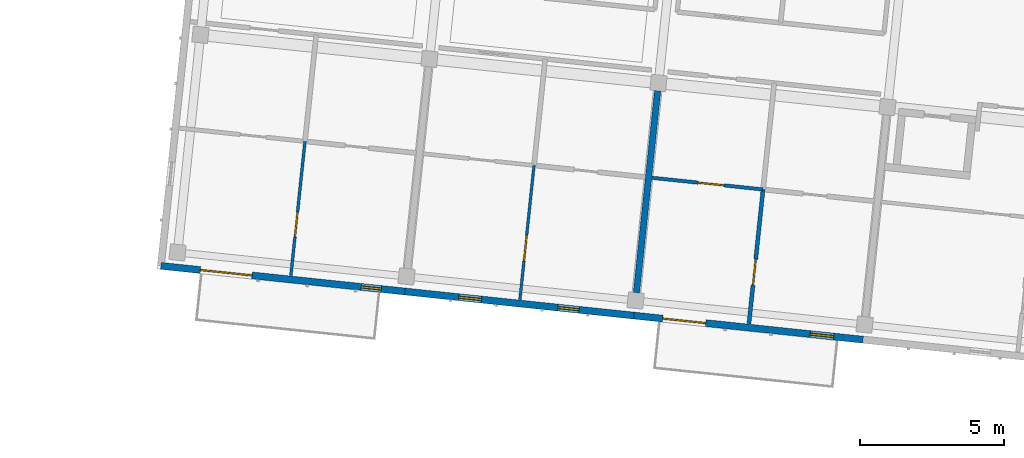
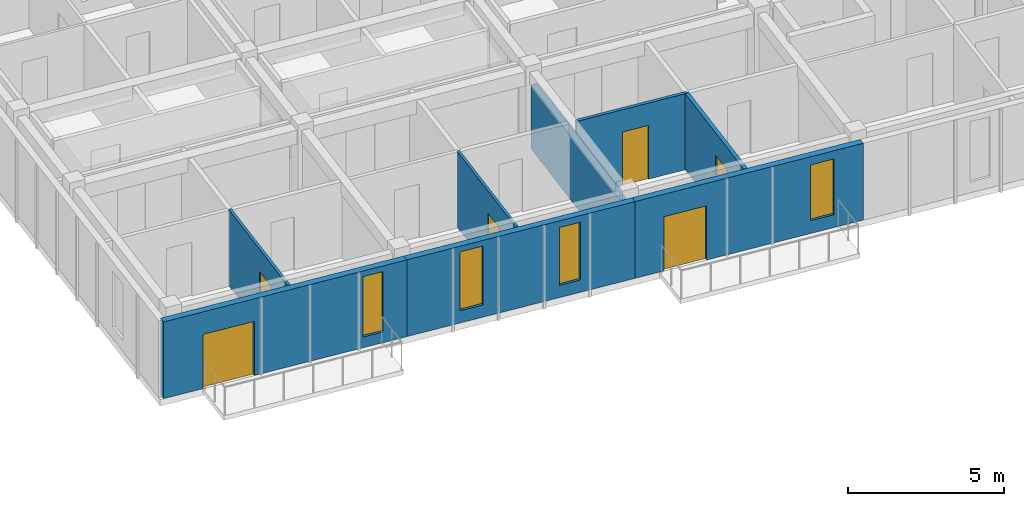
# One storey, part 29 of 65: 8 walls, 6 doors, 4 windows, 10 openings.
"""IFC4 building model written with IfcOpenShell, lengths in metres."""

from ifc_helpers import new_model, si_unit, direction, frame, frame_2d, origin, place, context, subcontext, project, spatial, rectangle, extrude, material, layer, layer_set, type_object, element, fill, save


model = new_model("IFC4")

# Units and contexts
model_context = context("Model", 3, precision=1e-05, world=origin(), true_north=direction((0.0, 1.0)))
body_context = subcontext(model_context, "Body", "Model", "MODEL_VIEW")
ifc_project = project(units=[si_unit("LENGTHUNIT", "METRE"), si_unit("AREAUNIT", "SQUARE_METRE"), si_unit("VOLUMEUNIT", "CUBIC_METRE"), si_unit("PLANEANGLEUNIT", "RADIAN"), si_unit("MASSUNIT", "GRAM", prefix="KILO")], contexts=[model_context])

# Site, building, storey
site_placement = place(None, origin())
site = spatial("IfcSite", under=ifc_project, at=site_placement, CompositionType="ELEMENT")
building_placement = place(site_placement, origin())
building = spatial("IfcBuilding", under=site, at=building_placement, Name="Kestramere Prow Commons", CompositionType="ELEMENT")
storey_placement = place(building_placement, frame((0.0, 0.0, 21.39990234375)))
storey = spatial("IfcBuildingStorey", under=building, at=storey_placement, Name="L06", CompositionType="ELEMENT", Elevation=21.39990234375)

# Wall, openings, door, window
ifc_material_1 = material(Name="Fluoropolymer Standing-Seam Zinc-Aluminium Cladding", Category="aluminium")
ifc_layer_1 = layer(ifc_material_1, 0.239990234375)
ifc_layer_set_1 = layer_set([ifc_layer_1], Name="Fluoropolymer Standing-Seam Zinc-Aluminium Cladding")
wall_type_1 = type_object("IfcWallType", Name="EW-SEAM-240", PredefinedType="SOLIDWALL", material=ifc_layer_set_1)
wall_1_placement = place(storey_placement, frame((117.9013671875, 93.441650390625, 0.0), z_axis=(0.0, 0.0, 1.0), x_axis=(-0.994521760736, 0.104529744196, 0.0)))
wall_1 = element("IfcWall", 1, at=wall_1_placement, inside=storey, type_object=wall_type_1, Name="Block B L06 South Standing-Seam Wall 1", PredefinedType="SOLIDWALL", context=body_context, shape_type="SweptSolid", body=[
    extrude(rectangle(XDim=8.52490234375, YDim=0.239990234375, at=frame_2d((4.262451171875, 0.0))), origin(), (0.0, 0.0, 1.0), 3.0),
])
opening_1_placement = place(wall_1_placement, frame((5.344970703125, 0.0, 0.0)))
opening_1 = element("IfcOpeningElement", 2, at=opening_1_placement, cuts=wall_1, Name="Opening GD-BAL-02", PredefinedType="OPENING", context=body_context, shape_type="SweptSolid", body=[
    extrude(rectangle(XDim=1.800048828125, YDim=2.1201171875, at=frame_2d((0.89990234375, 1.06005859375))), frame((0.0, 0.135009765625, 0.0), z_axis=(0.0, -1.0, 0.0), x_axis=(1.0, 0.0, 0.0)), (0.0, 0.0, 1.0), 0.27001953125),
])
opening_2_placement = place(wall_1_placement, frame((0.830078125, 0.0, 0.419921875)))
opening_2 = element("IfcOpeningElement", 3, at=opening_2_placement, cuts=wall_1, Name="Opening WN-07", PredefinedType="OPENING", context=body_context, shape_type="SweptSolid", body=[
    extrude(rectangle(XDim=0.699951171875, YDim=2.360107421875, at=frame_2d((0.35009765625, 1.18017578125))), frame((0.0, 0.135009765625, 0.0), z_axis=(0.0, -1.0, 0.0), x_axis=(1.0, 0.0, 0.0)), (0.0, 0.0, 1.0), 0.27001953125),
])
ifc_material_2 = material(Name="Thermally-Broken Anodised Aluminium Glazed", Category="aluminium")
door_type_1 = type_object("IfcDoorType", Name="GD-BAL-1800", OperationType="SLIDING_TO_LEFT", PredefinedType="DOOR", material=ifc_material_2)
door_1_placement = place(opening_1_placement, origin())
door_1 = element("IfcDoor", 4, at=door_1_placement, inside=storey, type_object=door_type_1, Name="Block B L06 Balcony Door 1", OperationType="SLIDING_TO_LEFT", OverallHeight=2.1201171875, OverallWidth=1.800048828125, PredefinedType="DOOR", context=body_context, shape_type="SweptSolid", body=[
    extrude(rectangle(XDim=1.800048828125, YDim=2.1201171875, at=frame_2d((0.89990234375, 1.06005859375))), frame((0.0, 0.02490234375, 0.0), z_axis=(0.0, -1.0, 0.0), x_axis=(1.0, 0.0, 0.0)), (0.0, 0.0, 1.0), 0.050048828125),
])
fill(opening_1, door_1)
ifc_material_3 = material(Name="Low-E Laminated Double Glazing", Category="glass")
window_type_1 = type_object("IfcWindowType", Name="WN-NAR-700A", PartitioningType="SINGLE_PANEL", PredefinedType="WINDOW", material=ifc_material_3)
window_1_placement = place(opening_2_placement, origin())
window_1 = element("IfcWindow", 5, at=window_1_placement, inside=storey, type_object=window_type_1, Name="WN-B-L06-SR-0", OverallHeight=2.360107421875, OverallWidth=0.699951171875, PartitioningType="SINGLE_PANEL", PredefinedType="WINDOW", context=body_context, shape_type="SweptSolid", body=[
    extrude(rectangle(XDim=0.699951171875, YDim=2.360107421875, at=frame_2d((0.35009765625, 1.18017578125))), frame((0.0, 0.030029296875, 0.0), z_axis=(0.0, -1.0, 0.0), x_axis=(1.0, 0.0, 0.0)), (0.0, 0.0, 1.0), 0.06005859375),
])
fill(opening_2, window_1)

# Wall, openings, windows
wall_2_placement = place(storey_placement, frame((125.857421875, 92.60546875, 0.0), z_axis=(0.0, 0.0, 1.0), x_axis=(-0.994522329422, 0.104524333444, 0.0)))
wall_2 = element("IfcWall", 6, at=wall_2_placement, inside=storey, type_object=wall_type_1, Name="Block B L06 South Standing-Seam Wall 2", PredefinedType="SOLIDWALL", context=body_context, shape_type="SweptSolid", body=[
    extrude(rectangle(XDim=7.999755859375, YDim=0.239990234375, at=frame_2d((4.0, 0.0))), origin(), (0.0, 0.0, 1.0), 3.0),
])
opening_3_placement = place(wall_2_placement, frame((1.91943359375, 0.0, 0.47998046875)))
opening_3 = element("IfcOpeningElement", 7, at=opening_3_placement, cuts=wall_2, Name="Opening WN-09", PredefinedType="OPENING", context=body_context, shape_type="SweptSolid", body=[
    extrude(rectangle(XDim=0.739990234375, YDim=2.260009765625, at=frame_2d((0.3701171875, 1.1298828125))), frame((0.0, 0.135009765625, 0.0), z_axis=(0.0, -1.0, 0.0), x_axis=(1.0, 0.0, 0.0)), (0.0, 0.0, 1.0), 0.27001953125),
])
opening_4_placement = place(wall_2_placement, frame((5.329833984375, 0.0, 0.47998046875)))
opening_4 = element("IfcOpeningElement", 8, at=opening_4_placement, cuts=wall_2, Name="Opening WN-12", PredefinedType="OPENING", context=body_context, shape_type="SweptSolid", body=[
    extrude(rectangle(XDim=0.800048828125, YDim=2.300048828125, at=frame_2d((0.39990234375, 1.14990234375))), frame((0.0, 0.135009765625, 0.0), z_axis=(0.0, -1.0, 0.0), x_axis=(1.0, 0.0, 0.0)), (0.0, 0.0, 1.0), 0.27001953125),
])
window_type_2 = type_object("IfcWindowType", Name="WN-NAR-740A", PartitioningType="SINGLE_PANEL", PredefinedType="WINDOW", material=ifc_material_3)
window_2_placement = place(opening_3_placement, origin())
window_2 = element("IfcWindow", 9, at=window_2_placement, inside=storey, type_object=window_type_2, Name="WN-B-L06-S-1-00", OverallHeight=2.260009765625, OverallWidth=0.739990234375, PartitioningType="SINGLE_PANEL", PredefinedType="WINDOW", context=body_context, shape_type="SweptSolid", body=[
    extrude(rectangle(XDim=0.739990234375, YDim=2.260009765625, at=frame_2d((0.3701171875, 1.1298828125))), frame((0.0, 0.030029296875, 0.0), z_axis=(0.0, -1.0, 0.0), x_axis=(1.0, 0.0, 0.0)), (0.0, 0.0, 1.0), 0.06005859375),
])
fill(opening_3, window_2)
window_type_3 = type_object("IfcWindowType", Name="WN-NAR-800A", PartitioningType="SINGLE_PANEL", PredefinedType="WINDOW", material=ifc_material_3)
window_3_placement = place(opening_4_placement, origin())
window_3 = element("IfcWindow", 10, at=window_3_placement, inside=storey, type_object=window_type_3, Name="WN-B-L06-S-1-10", OverallHeight=2.300048828125, OverallWidth=0.800048828125, PartitioningType="SINGLE_PANEL", PredefinedType="WINDOW", context=body_context, shape_type="SweptSolid", body=[
    extrude(rectangle(XDim=0.800048828125, YDim=2.300048828125, at=frame_2d((0.39990234375, 1.14990234375))), frame((0.0, 0.030029296875, 0.0), z_axis=(0.0, -1.0, 0.0), x_axis=(1.0, 0.0, 0.0)), (0.0, 0.0, 1.0), 0.06005859375),
])
fill(opening_4, window_3)

# Wall, openings, door, window
wall_3_placement = place(storey_placement, frame((133.813720703125, 91.769287109375, 0.0), z_axis=(0.0, 0.0, 1.0), x_axis=(-0.994522662826, 0.104521161134, 0.0)))
wall_3 = element("IfcWall", 11, at=wall_3_placement, inside=storey, type_object=wall_type_1, Name="Block B L06 South Standing-Seam Wall 3", PredefinedType="SOLIDWALL", context=body_context, shape_type="SweptSolid", body=[
    extrude(rectangle(XDim=8.0, YDim=0.239990234375, at=frame_2d((4.0, 0.0))), origin(), (0.0, 0.0, 1.0), 3.0),
])
opening_5_placement = place(wall_3_placement, frame((5.4951171875, 0.0, 0.0)))
opening_5 = element("IfcOpeningElement", 12, at=opening_5_placement, cuts=wall_3, Name="Opening GD-BAL-01", PredefinedType="OPENING", context=body_context, shape_type="SweptSolid", body=[
    extrude(rectangle(XDim=1.5, YDim=2.1201171875, at=frame_2d((0.75, 1.06005859375))), frame((0.0, 0.135009765625, 0.0), z_axis=(0.0, -1.0, 0.0), x_axis=(1.0, 0.0, 0.0)), (0.0, 0.0, 1.0), 0.27001953125),
])
opening_6_placement = place(wall_3_placement, frame((1.030029296875, 0.0, 0.5)))
opening_6 = element("IfcOpeningElement", 13, at=opening_6_placement, cuts=wall_3, Name="Opening WN-13", PredefinedType="OPENING", context=body_context, shape_type="SweptSolid", body=[
    extrude(rectangle(XDim=0.820068359375, YDim=2.179931640625, at=frame_2d((0.41015625, 1.08984375))), frame((0.0, 0.135009765625, 0.0), z_axis=(0.0, -1.0, 0.0), x_axis=(1.0, 0.0, 0.0)), (0.0, 0.0, 1.0), 0.27001953125),
])
door_type_2 = type_object("IfcDoorType", Name="GD-BAL-1500", OperationType="SLIDING_TO_RIGHT", PredefinedType="DOOR", material=ifc_material_2)
door_2_placement = place(opening_5_placement, origin())
door_2 = element("IfcDoor", 14, at=door_2_placement, inside=storey, type_object=door_type_2, Name="Block B L06 Balcony Door 3", OperationType="SLIDING_TO_RIGHT", OverallHeight=2.1201171875, OverallWidth=1.5, PredefinedType="DOOR", context=body_context, shape_type="SweptSolid", body=[
    extrude(rectangle(XDim=1.5, YDim=2.1201171875, at=frame_2d((0.75, 1.06005859375))), frame((0.0, 0.02490234375, 0.0), z_axis=(0.0, -1.0, 0.0), x_axis=(1.0, 0.0, 0.0)), (0.0, 0.0, 1.0), 0.050048828125),
])
fill(opening_5, door_2)
window_type_4 = type_object("IfcWindowType", Name="WN-NAR-820A", PartitioningType="DOUBLE_PANEL_VERTICAL", PredefinedType="WINDOW", material=ifc_material_3)
window_4_placement = place(opening_6_placement, origin())
window_4 = element("IfcWindow", 15, at=window_4_placement, inside=storey, type_object=window_type_4, Name="WN-B-L06-SR-2", OverallHeight=2.179931640625, OverallWidth=0.820068359375, PartitioningType="SINGLE_PANEL", PredefinedType="WINDOW", context=body_context, shape_type="SweptSolid", body=[
    extrude(rectangle(XDim=0.820068359375, YDim=2.179931640625, at=frame_2d((0.41015625, 1.08984375))), frame((0.0, 0.030029296875, 0.0), z_axis=(0.0, -1.0, 0.0), x_axis=(1.0, 0.0, 0.0)), (0.0, 0.0, 1.0), 0.06005859375),
])
fill(opening_6, window_4)

# Wall, opening, door
ifc_material_4 = material(Name="Gypsum Acoustic Drywall")
ifc_layer_2 = layer(ifc_material_4, 0.10009765625)
ifc_layer_set_2 = layer_set([ifc_layer_2], Name="Gypsum Acoustic Drywall")
wall_type_2 = type_object("IfcWallType", Name="W-PART-100", PredefinedType="PARTITIONING", material=ifc_layer_set_2)
wall_4_placement = place(storey_placement, frame((113.937255859375, 93.994140625, 0.0), z_axis=(0.0, 0.0, 1.0), x_axis=(0.104527618124, 0.994521984196, 0.0)))
wall_4 = element("IfcWall", 16, at=wall_4_placement, inside=storey, type_object=wall_type_2, Name="Interior Partition PW-B-L06-LB-S0", PredefinedType="PARTITIONING", context=body_context, shape_type="SweptSolid", body=[
    extrude(rectangle(XDim=4.68994140625, YDim=0.10009765625, at=frame_2d((2.344970703125, 0.0))), origin(), (0.0, 0.0, 1.0), 2.97021484375),
])
opening_7_placement = place(wall_4_placement, frame((1.35009765625, 0.0, 0.0)))
opening_7 = element("IfcOpeningElement", 17, at=opening_7_placement, cuts=wall_4, Name="Opening ID-10", PredefinedType="OPENING", context=body_context, shape_type="SweptSolid", body=[
    extrude(rectangle(XDim=0.8798828125, YDim=2.10009765625, at=frame_2d((0.43994140625, 1.050048828125))), frame((0.0, 0.06494140625, 0.0), z_axis=(0.0, -1.0, 0.0), x_axis=(1.0, 0.0, 0.0)), (0.0, 0.0, 1.0), 0.130126953125),
])
ifc_material_5 = material(Name="Engineered Timber Bedroom Door", Category="wood")
door_type_3 = type_object("IfcDoorType", Name="D-RM-03", OperationType="NOTDEFINED", PredefinedType="DOOR", material=ifc_material_5)
door_3_placement = place(opening_7_placement, origin())
door_3 = element("IfcDoor", 18, at=door_3_placement, inside=storey, type_object=door_type_3, Name="Interior Door DR-B-L06-BED-S0", OperationType="SINGLE_SWING_LEFT", OverallHeight=2.10009765625, OverallWidth=0.8798828125, PredefinedType="DOOR", context=body_context, shape_type="SweptSolid", body=[
    extrude(rectangle(XDim=0.8798828125, YDim=2.10009765625, at=frame_2d((0.43994140625, 1.050048828125))), frame((0.0, 0.02490234375, 0.0), z_axis=(0.0, -1.0, 0.0), x_axis=(1.0, 0.0, 0.0)), (0.0, 0.0, 1.0), 0.050048828125),
])
fill(opening_7, door_3)

ifc_material_6 = material(Name="Lightweight Blockwork and Plaster", Category="masonry")
ifc_layer_3 = layer(ifc_material_6, 0.1201171875)
ifc_layer_set_3 = layer_set([ifc_layer_3], Name="Lightweight Blockwork and Plaster")
wall_type_3 = type_object("IfcWallType", Name="W-PART-120", PredefinedType="PARTITIONING", material=ifc_layer_set_3)
wall_5_placement = place(storey_placement, frame((126.47607421875, 97.39208984375, 0.0), z_axis=(0.0, 0.0, 1.0), x_axis=(0.994517841934, -0.104567021925, 0.0)))
wall_5 = element("IfcWall", 19, at=wall_5_placement, inside=storey, type_object=wall_type_3, Name="Interior Partition PW-B-L06-MIDS1-2", PredefinedType="PARTITIONING", context=body_context, shape_type="SweptSolid", body=[
    extrude(rectangle(XDim=3.885009765625, YDim=0.1201171875, at=frame_2d((1.9423828125, 0.0))), origin(), (0.0, 0.0, 1.0), 2.97021484375),
])
opening_8_placement = place(wall_5_placement, frame((1.625, 0.0, 0.0)))
opening_8 = element("IfcOpeningElement", 20, at=opening_8_placement, cuts=wall_5, Name="Opening ID-08", PredefinedType="OPENING", context=body_context, shape_type="SweptSolid", body=[
    extrude(rectangle(XDim=0.89990234375, YDim=2.10009765625, at=frame_2d((0.449951171875, 1.050048828125))), frame((0.0, 0.074951171875, 0.0), z_axis=(0.0, -1.0, 0.0), x_axis=(1.0, 0.0, 0.0)), (0.0, 0.0, 1.0), 0.150146484375),
])
ifc_material_7 = material(Name="Engineered Timber Flush Door", Category="wood")
door_type_4 = type_object("IfcDoorType", Name="D-RM-01", OperationType="NOTDEFINED", PredefinedType="DOOR", material=ifc_material_7)
door_4_placement = place(opening_8_placement, origin())
door_4 = element("IfcDoor", 21, at=door_4_placement, inside=storey, type_object=door_type_4, Name="Interior Door DR-B-L06-KL-S2", OperationType="SINGLE_SWING_RIGHT", OverallHeight=2.10009765625, OverallWidth=0.89990234375, PredefinedType="DOOR", context=body_context, shape_type="SweptSolid", body=[
    extrude(rectangle(XDim=0.89990234375, YDim=2.10009765625, at=frame_2d((0.449951171875, 1.050048828125))), frame((0.0, 0.02490234375, 0.0), z_axis=(0.0, -1.0, 0.0), x_axis=(1.0, 0.0, 0.0)), (0.0, 0.0, 1.0), 0.050048828125),
])
fill(opening_8, door_4)

ifc_material_8 = material(Name="Masonry Compartment Wall", Category="masonry")
ifc_layer_4 = layer(ifc_material_8, 0.139892578125)
ifc_layer_set_4 = layer_set([ifc_layer_4], Name="Masonry Compartment Wall")
wall_type_4 = type_object("IfcWallType", Name="W-PART-140", PredefinedType="PARTITIONING", material=ifc_layer_set_4)
wall_6_placement = place(storey_placement, frame((129.849609375, 92.321533203125, 0.0), z_axis=(0.0, 0.0, 1.0), x_axis=(0.104527618124, 0.994521984196, 0.0)))
wall_6 = element("IfcWall", 22, at=wall_6_placement, inside=storey, type_object=wall_type_4, Name="Interior Partition PW-B-L06-LB-S2", PredefinedType="PARTITIONING", context=body_context, shape_type="SweptSolid", body=[
    extrude(rectangle(XDim=4.68994140625, YDim=0.139892578125, at=frame_2d((2.344970703125, 0.0))), origin(), (0.0, 0.0, 1.0), 2.97021484375),
])
opening_9_placement = place(wall_6_placement, frame((1.35009765625, 0.0, 0.0)))
opening_9 = element("IfcOpeningElement", 23, at=opening_9_placement, cuts=wall_6, Name="Opening ID-08", PredefinedType="OPENING", context=body_context, shape_type="SweptSolid", body=[
    extrude(rectangle(XDim=0.89990234375, YDim=2.10009765625, at=frame_2d((0.449951171875, 1.050048828125))), frame((0.0, 0.0849609375, 0.0), z_axis=(0.0, -1.0, 0.0), x_axis=(1.0, 0.0, 0.0)), (0.0, 0.0, 1.0), 0.169921875),
])
door_5_placement = place(opening_9_placement, origin())
door_5 = element("IfcDoor", 24, at=door_5_placement, inside=storey, type_object=door_type_4, Name="Interior Door DR-B-L06-BED-S2", OperationType="SINGLE_SWING_LEFT", OverallHeight=2.10009765625, OverallWidth=0.89990234375, PredefinedType="DOOR", context=body_context, shape_type="SweptSolid", body=[
    extrude(rectangle(XDim=0.89990234375, YDim=2.10009765625, at=frame_2d((0.449951171875, 1.050048828125))), frame((0.0, 0.02490234375, 0.0), z_axis=(0.0, -1.0, 0.0), x_axis=(1.0, 0.0, 0.0)), (0.0, 0.0, 1.0), 0.050048828125),
])
fill(opening_9, door_5)

ifc_layer_5 = layer(ifc_material_4, 0.094970703125)
ifc_layer_set_5 = layer_set([ifc_layer_5], Name="Gypsum Acoustic Drywall")
wall_type_5 = type_object("IfcWallType", Name="W-PART-95", PredefinedType="PARTITIONING", material=ifc_layer_set_5)
wall_7_placement = place(storey_placement, frame((121.8935546875, 93.15771484375, 0.0), z_axis=(0.0, 0.0, 1.0), x_axis=(0.104527618124, 0.994521984196, 0.0)))
wall_7 = element("IfcWall", 25, at=wall_7_placement, inside=storey, type_object=wall_type_5, Name="Interior Partition PW-B-L06-LB-S1", PredefinedType="PARTITIONING", context=body_context, shape_type="SweptSolid", body=[
    extrude(rectangle(XDim=4.68994140625, YDim=0.094970703125, at=frame_2d((2.344970703125, 0.0))), origin(), (0.0, 0.0, 1.0), 2.97021484375),
])
opening_10_placement = place(wall_7_placement, frame((1.35009765625, 0.0, 0.0)))
opening_10 = element("IfcOpeningElement", 26, at=opening_10_placement, cuts=wall_7, Name="Opening ID-08", PredefinedType="OPENING", context=body_context, shape_type="SweptSolid", body=[
    extrude(rectangle(XDim=0.89990234375, YDim=2.10009765625, at=frame_2d((0.449951171875, 1.050048828125))), frame((0.0, 0.0625, 0.0), z_axis=(0.0, -1.0, 0.0), x_axis=(1.0, 0.0, 0.0)), (0.0, 0.0, 1.0), 0.125),
])
door_6_placement = place(opening_10_placement, origin())
door_6 = element("IfcDoor", 27, at=door_6_placement, inside=storey, type_object=door_type_4, Name="Interior Door DR-B-L06-BED-S1", OperationType="SINGLE_SWING_RIGHT", OverallHeight=2.10009765625, OverallWidth=0.89990234375, PredefinedType="DOOR", context=body_context, shape_type="SweptSolid", body=[
    extrude(rectangle(XDim=0.89990234375, YDim=2.10009765625, at=frame_2d((0.449951171875, 1.050048828125))), frame((0.0, 0.02490234375, 0.0), z_axis=(0.0, -1.0, 0.0), x_axis=(1.0, 0.0, 0.0)), (0.0, 0.0, 1.0), 0.050048828125),
])
fill(opening_10, door_6)

# Wall
ifc_material_9 = material(Name="Precast concrete C40/50", Category="concrete")
ifc_layer_6 = layer(ifc_material_9, 0.219970703125)
ifc_layer_set_6 = layer_set([ifc_layer_6], Name="Precast concrete C40/50")
wall_type_6 = type_object("IfcWallType", Name="W-XWALL-220", PredefinedType="SHEAR", material=ifc_layer_set_6)
wall_8_placement = place(storey_placement, frame((125.941162109375, 93.401123046875, 0.0), z_axis=(0.0, 0.0, 1.0), x_axis=(0.104515329964, 0.994523275646, 0.0)))
element("IfcWall", 28, at=wall_8_placement, inside=storey, type_object=wall_type_6, Name="Block B L06 Precast Cross-Wall 2", PredefinedType="SHEAR", context=body_context, shape_type="SweptSolid", body=[
    extrude(rectangle(XDim=7.0498046875, YDim=0.219970703125, at=frame_2d((3.52490234375, 0.0))), origin(), (0.0, 0.0, 1.0), 2.5),
])

save(model, "model.ifc")
